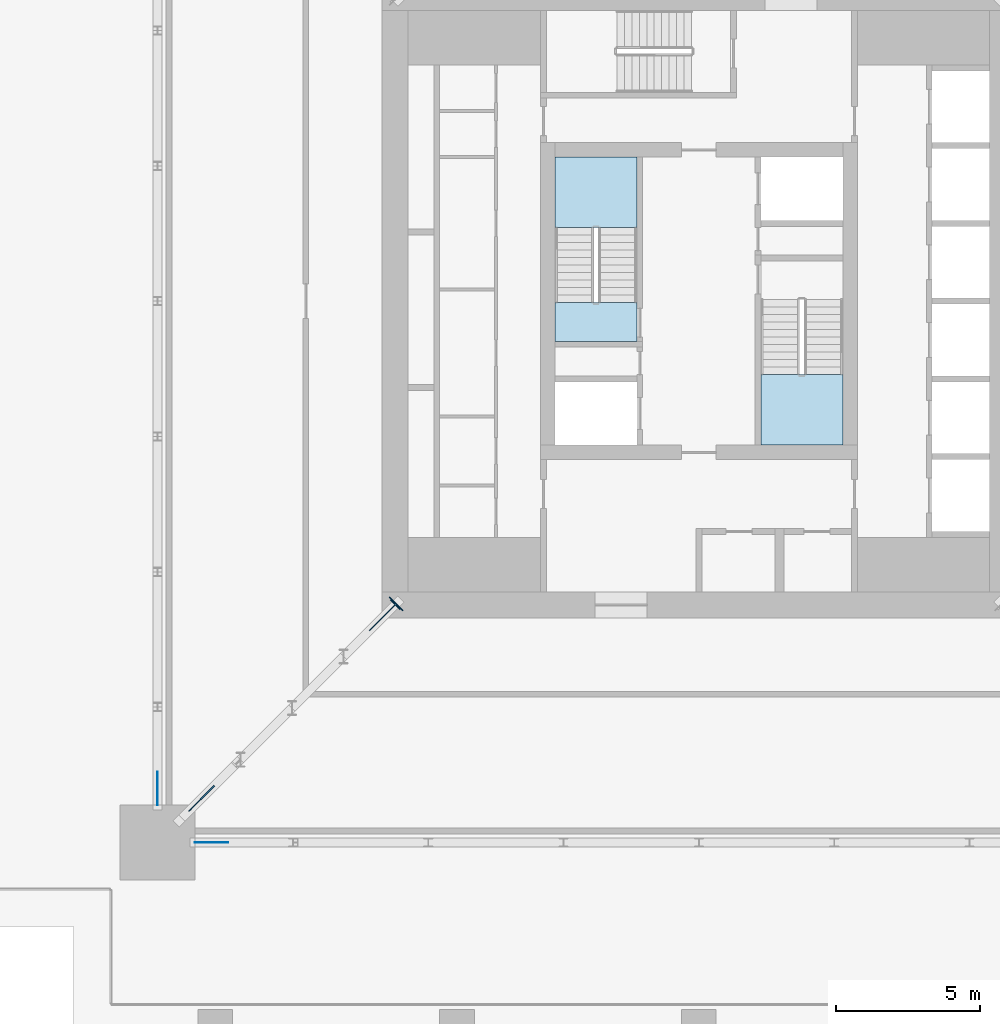
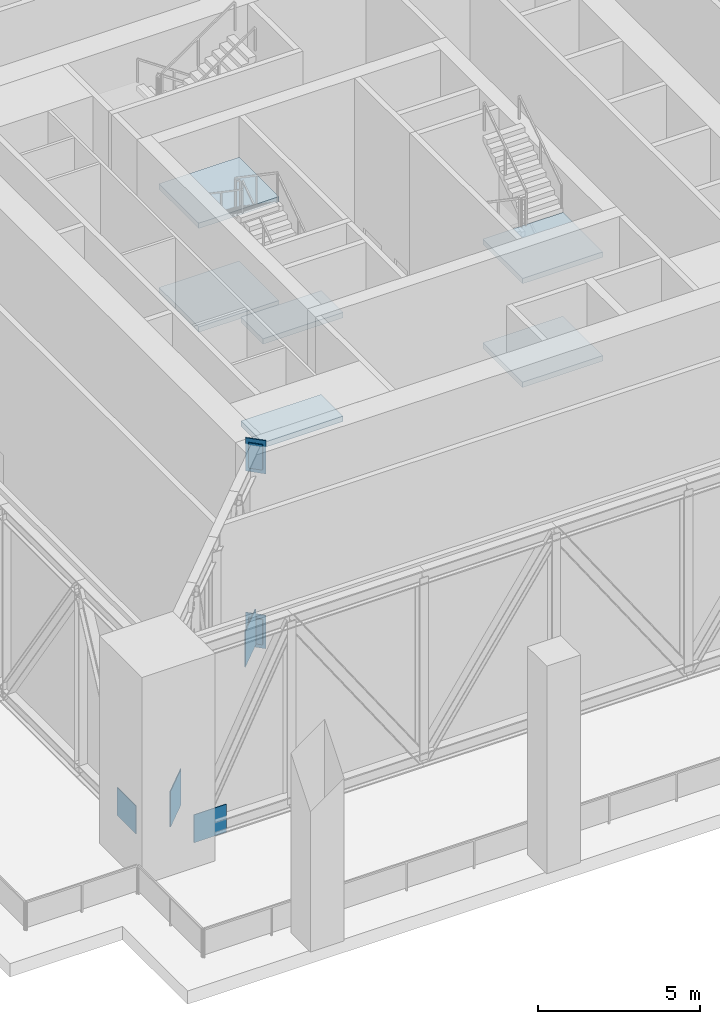
# One storey, part 6 of 17: 8 plates, 6 slabs, 2 elements without a shape of their own.
"""IFC4 building model written with IfcOpenShell, lengths in metres."""

from ifc_helpers import new_model, si_unit, direction, frame, origin, origin_2d, place, context, subcontext, project, spatial, polyline, rectangle, outline, extrude, material, layer, layer_set, type_object, element, aggregate, save


model = new_model("IFC4")

# Units and contexts
model_context = context("Model", 3, precision=1e-05, world=origin(), true_north=direction((0.0, 1.0)))
body_context = subcontext(model_context, "Body", "Model", "MODEL_VIEW")
ifc_project = project(units=[si_unit("LENGTHUNIT", "METRE"), si_unit("AREAUNIT", "SQUARE_METRE"), si_unit("VOLUMEUNIT", "CUBIC_METRE"), si_unit("PLANEANGLEUNIT", "RADIAN"), si_unit("MASSUNIT", "GRAM", prefix="KILO")], contexts=[model_context])

# Site, building, storey
site_placement = place(None, origin())
site = spatial("IfcSite", under=ifc_project, at=site_placement, CompositionType="ELEMENT")
building_placement = place(site_placement, origin())
building = spatial("IfcBuilding", under=site, at=building_placement, Name="Khepri Terraces", CompositionType="ELEMENT")
storey_placement = place(building_placement, frame((0.0, 0.0, 180.60009765625)))
storey = spatial("IfcBuildingStorey", under=building, at=storey_placement, Name="L43", CompositionType="ELEMENT", Elevation=180.60009765625)

# Plates
ifc_material_1 = material(Name="Steel S355", Category="steel")
ifc_layer_1 = layer(ifc_material_1, 0.030029296875, Name="Steel S355", Category="steel")
ifc_layer_set_1 = layer_set([ifc_layer_1], Name="Steel S355")
plate_type_1 = type_object("IfcPlateType", Name="Cast-in plate 1250x650x30", PredefinedType="USERDEFINED", material=ifc_layer_set_1)
for number, where, z_axis, x_axis, name in (
    (1, (-10.5146484375, -10.5146484375, -0.218017578125), (0.0, 0.0, 1.0), (-0.707106781187, -0.707106781187, 0.0), "CAST-IN PLATE OT-43-WS BOT wall A"),
    (2, (-10.5146484375, -10.5146484375, 6.347900390625), (0.0, 0.0, 1.0), (-0.707106781187, -0.707106781187, 0.0), "CAST-IN PLATE OT-43-WS TOP wall A"),
):
    element("IfcPlate", number, at=place(storey_placement, frame(where, z_axis=z_axis, x_axis=x_axis)), inside=storey, type_object=plate_type_1, Name=name, ObjectType="CAST-IN PLATE", PredefinedType="USERDEFINED", context=body_context, shape_type="SweptSolid", body=[
        extrude(rectangle(XDim=0.030029296875, YDim=0.64990234375, at=origin_2d()), origin(), (0.0, 0.0, 1.0), 1.25),
    ])
ifc_layer_2 = layer(ifc_material_1, 0.034912109375, Name="Steel S355", Category="steel")
ifc_layer_set_2 = layer_set([ifc_layer_2], Name="Steel S355")
plate_type_2 = type_object("IfcPlateType", Name="End plate 950x450x35", PredefinedType="USERDEFINED", material=ifc_layer_set_2)
for number, where, z_axis, x_axis, name in (
    (3, (-10.53759765625, -10.53759765625, -0.06787109375), (0.0, 0.0, 1.0), (-0.707106781187, -0.707106781187, 0.0), "END PLATE OT-43-WS BOT end A"),
    (4, (-10.53759765625, -10.53759765625, 6.498046875), (0.0, 0.0, 1.0), (-0.707106781187, -0.707106781187, 0.0), "END PLATE OT-43-WS TOP end A"),
):
    element("IfcPlate", number, at=place(storey_placement, frame(where, z_axis=z_axis, x_axis=x_axis)), inside=storey, type_object=plate_type_2, Name=name, ObjectType="END PLATE", PredefinedType="USERDEFINED", context=body_context, shape_type="SweptSolid", body=[
        extrude(rectangle(XDim=0.034912109375, YDim=0.449951171875, at=origin_2d()), origin(), (0.0, 0.0, 1.0), 0.949951171875),
    ])
ifc_layer_3 = layer(ifc_material_1, 0.02490234375, Name="Steel S355", Category="steel")
ifc_layer_set_3 = layer_set([ifc_layer_3], Name="Steel S355")
plate_type_3 = type_object("IfcPlateType", Name="Gusset plate 1150x1050x25", PredefinedType="USERDEFINED", material=ifc_layer_set_3)
for number, where, z_axis, x_axis, name in (
    (5, (-16.925048828125, -18.800048828125, -0.10009765625), (0.0, 0.0, 1.0), (1.0, 0.0, 0.0), "GUSSET PLATE BT-43-S column node A"),
    (6, (-18.800048828125, -16.925048828125, -0.10009765625), (0.0, 0.0, 1.0), (0.0, -1.0, 0.0), "GUSSET PLATE BT-43-W column node B"),
):
    element("IfcPlate", number, at=place(storey_placement, frame(where, z_axis=z_axis, x_axis=x_axis)), inside=storey, type_object=plate_type_3, Name=name, ObjectType="GUSSET PLATE", PredefinedType="USERDEFINED", context=body_context, shape_type="SweptSolid", body=[
        extrude(rectangle(XDim=1.14990234375, YDim=0.02490234375, at=origin_2d()), origin(), (0.0, 0.0, 1.0), 1.050048828125),
    ])
ifc_layer_4 = layer(ifc_material_1, 0.030029296875, Name="Steel S355", Category="steel")
ifc_layer_set_4 = layer_set([ifc_layer_4], Name="Steel S355")
plate_type_4 = type_object("IfcPlateType", Name="Gusset plate 1250x1350x30", PredefinedType="USERDEFINED", material=ifc_layer_set_4)
for number, where, z_axis, x_axis, name in (
    (7, (-10.991943359375, -10.991943359375, -0.10009765625), (0.0, 0.0, 1.0), (-0.707106781187, -0.707106781187, 0.0), "GUSSET PLATE OT-43-WS node A"),
    (8, (-17.270263671875, -17.270263671875, -0.10009765625), (0.0, 0.0, 1.0), (-0.707106781187, -0.707106781187, 0.0), "GUSSET PLATE OT-43-WS column node B"),
):
    element("IfcPlate", number, at=place(storey_placement, frame(where, z_axis=z_axis, x_axis=x_axis)), inside=storey, type_object=plate_type_4, Name=name, ObjectType="GUSSET PLATE", PredefinedType="USERDEFINED", context=body_context, shape_type="SweptSolid", body=[
        extrude(rectangle(XDim=1.25, YDim=0.030029296875, at=origin_2d()), origin(), (0.0, 0.0, 1.0), 1.35009765625),
    ])

# Stair, slabs
ifc_material_2 = material(Name="Concrete C40/50", Category="concrete")
stair_type = type_object("IfcStairType", Name="STAIR-RC-44R", PredefinedType="HALF_TURN_STAIR", material=ifc_material_2)
stair_1_placement = place(storey_placement, origin())
stair_1 = element("IfcStair", 9, at=stair_1_placement, inside=storey, type_object=stair_type, Name="L43 Exit Stair ST-1", PredefinedType="HALF_TURN_STAIR")
ifc_layer_5 = layer(ifc_material_2, 0.199951171875, Name="Concrete C40/50", Category="concrete")
ifc_layer_set_5 = layer_set([ifc_layer_5], Name="Concrete C40/50")
slab_type = type_object("IfcSlabType", Name="SLB-CORE-LANDING", PredefinedType="LANDING", material=ifc_layer_set_5)
slab_1_placement = place(storey_placement, frame((0.0, 0.0, -0.2001953125)))
slab_1 = element("IfcSlab", 10, at=slab_1_placement, type_object=slab_type, Name="ST-1 landing 1", PredefinedType="LANDING", context=body_context, shape_type="SweptSolid", body=[
    extrude(outline(polyline([(-2.14990234375, -1.39990234375), (-2.14990234375, -0.050048828125), (-5.0, -0.050048828125), (-5.0, -1.39990234375), (-2.14990234375, -1.39990234375)])), origin(), (0.0, 0.0, 1.0), 0.2001953125),
])
slab_2_placement = place(storey_placement, frame((0.0, 0.0, 1.75)))
slab_2 = element("IfcSlab", 11, at=slab_2_placement, type_object=slab_type, Name="ST-1 landing 2", PredefinedType="LANDING", context=body_context, shape_type="SweptSolid", body=[
    extrude(outline(polyline([(-2.14990234375, 2.550048828125), (-2.14990234375, 5.0), (-5.0, 5.0), (-5.0, 2.550048828125), (-2.14990234375, 2.550048828125)])), origin(), (0.0, 0.0, 1.0), 0.199951171875),
])
slab_3_placement = place(storey_placement, frame((0.0, 0.0, 3.699951171875)))
slab_3 = element("IfcSlab", 12, at=slab_3_placement, type_object=slab_type, Name="ST-1 landing 3", PredefinedType="LANDING", context=body_context, shape_type="SweptSolid", body=[
    extrude(outline(polyline([(-2.14990234375, -1.39990234375), (-2.14990234375, -0.050048828125), (-5.0, -0.050048828125), (-5.0, -1.39990234375), (-2.14990234375, -1.39990234375)])), origin(), (0.0, 0.0, 1.0), 0.199951171875),
])
slab_4_placement = place(storey_placement, frame((0.0, 0.0, 5.64990234375)))
slab_4 = element("IfcSlab", 13, at=slab_4_placement, type_object=slab_type, Name="ST-1 landing 4", PredefinedType="LANDING", context=body_context, shape_type="SweptSolid", body=[
    extrude(outline(polyline([(-2.14990234375, 2.550048828125), (-2.14990234375, 5.0), (-5.0, 5.0), (-5.0, 2.550048828125), (-2.14990234375, 2.550048828125)])), origin(), (0.0, 0.0, 1.0), 0.199951171875),
])
aggregate(stair_1, [slab_1, slab_2, slab_3, slab_4])

stair_2_placement = place(storey_placement, origin())
stair_2 = element("IfcStair", 14, at=stair_2_placement, inside=storey, type_object=stair_type, Name="L43 Exit Stair ST-2", PredefinedType="HALF_TURN_STAIR")
slab_5_placement = place(storey_placement, frame((0.0, 0.0, 1.75)))
slab_5 = element("IfcSlab", 15, at=slab_5_placement, type_object=slab_type, Name="ST-2 landing 2", PredefinedType="LANDING", context=body_context, shape_type="SweptSolid", body=[
    extrude(outline(polyline([(2.14990234375, -2.550048828125), (2.14990234375, -5.0), (5.0, -5.0), (5.0, -2.550048828125), (2.14990234375, -2.550048828125)])), origin(), (0.0, 0.0, 1.0), 0.199951171875),
])
slab_6_placement = place(storey_placement, frame((0.0, 0.0, 5.64990234375)))
slab_6 = element("IfcSlab", 16, at=slab_6_placement, type_object=slab_type, Name="ST-2 landing 4", PredefinedType="LANDING", context=body_context, shape_type="SweptSolid", body=[
    extrude(outline(polyline([(2.14990234375, -2.550048828125), (2.14990234375, -5.0), (5.0, -5.0), (5.0, -2.550048828125), (2.14990234375, -2.550048828125)])), origin(), (0.0, 0.0, 1.0), 0.199951171875),
])
aggregate(stair_2, [slab_5, slab_6])

save(model, "model.ifc")
